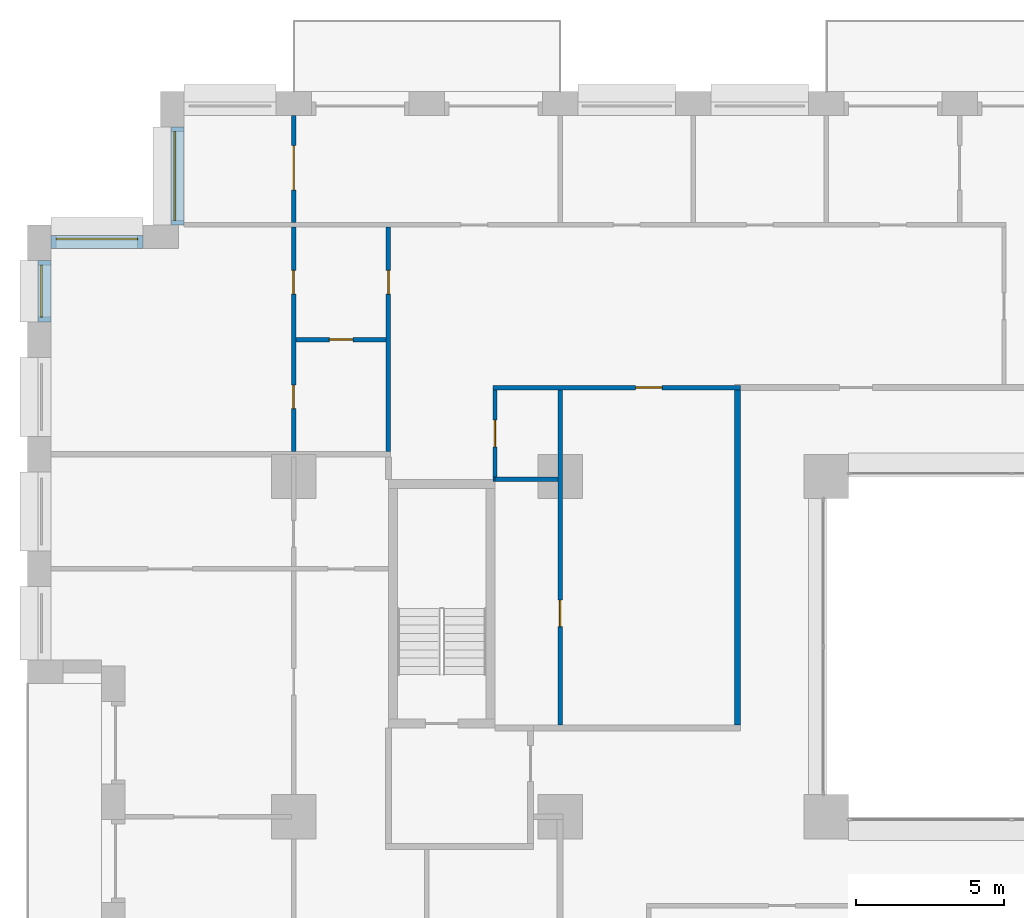
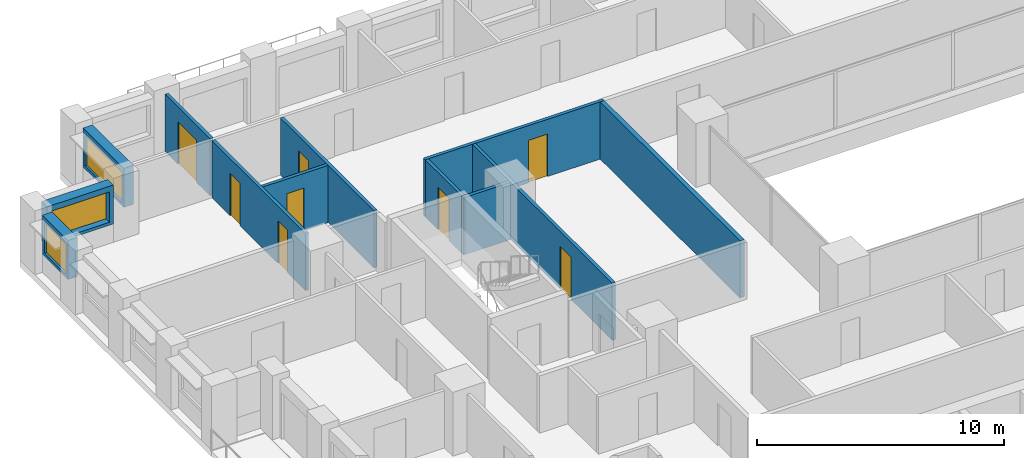
# One storey, part 14 of 21: 13 walls, 8 doors, 3 windows, 11 openings.
"""IFC4 building model written with IfcOpenShell, lengths in metres."""

import ifcopenshell
import ifcopenshell.guid

model = None  # the IFC model being written
_history = None  # IfcOwnerHistory: only IFC2X3 demands one
_inside = {}  # id of a spatial element -> (the spatial element, [elements in it])
_under = {}  # id of a project, library or spatial element -> (it, [spatial elements below it])
_declared = {}  # id of a project -> (the project, [libraries it declares])
_typed = {}  # id of a type object -> (the type object, [elements of that type])
_made_of = {}  # id of a material, layer set ... -> (it, [elements and type objects made of it])


def new_model(schema):
    """Start an empty IFC model of exactly this schema.

    Asked for "IFC4X3", IfcOpenShell would pick the latest addendum, in which some entities
    have other attributes; the version numbers below select the first issue.
    IFC2X3 requires an IfcOwnerHistory on every rooted entity: one is made here for all.
    """
    global model, _history
    if schema == "IFC4X3":
        model = ifcopenshell.file(schema_version=(4, 3, 0, 0))
    else:
        model = ifcopenshell.file(schema=schema)
    _inside.clear()
    _under.clear()
    _declared.clear()
    _typed.clear()
    _made_of.clear()
    _history = None
    if model.schema == "IFC2X3":
        org = make("IfcOrganization", Name="unknown")
        user = make(
            "IfcPersonAndOrganization",
            ThePerson=make("IfcPerson", FamilyName="unknown"),
            TheOrganization=org,
        )
        app = make(
            "IfcApplication",
            ApplicationDeveloper=org,
            Version="unknown",
            ApplicationFullName="unknown",
            ApplicationIdentifier="unknown",
        )
        _history = make(
            "IfcOwnerHistory",
            OwningUser=user,
            OwningApplication=app,
            ChangeAction="ADDED",
            CreationDate=0,
        )
    return model


def make(cls, **values):
    """One entity of the class cls with the attributes given. An attribute that is None is left unset."""
    return model.create_entity(
        cls, **{name: value for name, value in values.items() if value is not None}
    )


def rooted(cls, **values):
    """An entity with a GlobalId (a new one), such as an element, a storey or a relation."""
    return make(cls, GlobalId=ifcopenshell.guid.new(), OwnerHistory=_history, **values)


def si_unit(unit_type, name, prefix=None):
    """IfcSIUnit, for example si_unit("LENGTHUNIT", "METRE", prefix="MILLI")."""
    return make("IfcSIUnit", UnitType=unit_type, Prefix=prefix, Name=name)


def assignment(units):
    """IfcUnitAssignment: the units of a project."""
    return None if units is None else make("IfcUnitAssignment", Units=units)


def point(xyz):
    """IfcCartesianPoint."""
    return None if xyz is None else make("IfcCartesianPoint", Coordinates=xyz)


def direction(xyz):
    """IfcDirection."""
    return None if xyz is None else make("IfcDirection", DirectionRatios=xyz)


def frame(location, z_axis=None, x_axis=None):
    """IfcAxis2Placement3D, a coordinate frame: its origin and axes. An axis left out is left unset."""
    return make(
        "IfcAxis2Placement3D",
        Location=point(location),
        Axis=direction(z_axis),
        RefDirection=direction(x_axis),
    )


def frame_2d(location, x_axis=None):
    """IfcAxis2Placement2D, a coordinate frame in the plane: its origin and x axis."""
    return make(
        "IfcAxis2Placement2D", Location=point(location), RefDirection=direction(x_axis)
    )


def origin():
    """The frame at (0, 0, 0) with its axes left unset."""
    return frame((0.0, 0.0, 0.0))


def place(relative_to, where):
    """IfcLocalPlacement: puts the frame where relative to a parent placement (None: the world)."""
    return make(
        "IfcLocalPlacement", PlacementRelTo=relative_to, RelativePlacement=where
    )


def context(
    kind, dimensions, precision=None, world=None, true_north=None, identifier=None
):
    """IfcGeometricRepresentationContext, for example the 3D "Model" context."""
    return make(
        "IfcGeometricRepresentationContext",
        ContextIdentifier=identifier,
        ContextType=kind,
        CoordinateSpaceDimension=dimensions,
        Precision=precision,
        WorldCoordinateSystem=world,
        TrueNorth=true_north,
    )


def subcontext(parent, identifier, kind, view, scale=None):
    """IfcGeometricRepresentationSubContext, for example "Body" below "Model"."""
    return make(
        "IfcGeometricRepresentationSubContext",
        ContextIdentifier=identifier,
        ContextType=kind,
        ParentContext=parent,
        TargetScale=scale,
        TargetView=view,
    )


def project(units=None, contexts=None):
    """IfcProject with its units and contexts."""
    return rooted(
        "IfcProject",
        Name="project",
        RepresentationContexts=contexts,
        UnitsInContext=assignment(units),
    )


def spatial(cls, under=None, at=None, **own):
    """A site, building, storey or space (cls), placed at a placement, below another one or the project."""
    s = rooted(cls, ObjectPlacement=at, **own)
    if under is not None:
        _under.setdefault(under.id(), (under, []))[1].append(s)
    return s


def profile(cls, at=None, kind="AREA", **sizes):
    """A parametric profile (cls). Its sizes go by their IFC names, for example OverallWidth=200.0."""
    return make(cls, ProfileType=kind, Position=at, **sizes)


def rectangle(**sizes):
    """IfcRectangleProfileDef."""
    return profile("IfcRectangleProfileDef", **sizes)


def extrude(swept, where, along, depth):
    """IfcExtrudedAreaSolid: the profile swept, set in the frame where, extruded along a direction by depth."""
    return make(
        "IfcExtrudedAreaSolid",
        SweptArea=swept,
        Position=where,
        ExtrudedDirection=direction(along),
        Depth=depth,
    )


def shape(context_of_items, identifier, shape_type, items):
    """IfcShapeRepresentation: the items that make up one representation, for example the "Body"."""
    return make(
        "IfcShapeRepresentation",
        ContextOfItems=context_of_items,
        RepresentationIdentifier=identifier,
        RepresentationType=shape_type,
        Items=items,
    )


def material(Name=None, Category=None):
    """IfcMaterial."""
    return make("IfcMaterial", Name=Name, Category=Category)


def layer(
    of_material, thickness, ventilated=None, Name=None, Category=None, Priority=None
):
    """IfcMaterialLayer: one layer of a wall or slab, of a material (None: an air gap)."""
    return make(
        "IfcMaterialLayer",
        Material=of_material,
        LayerThickness=thickness,
        IsVentilated=ventilated,
        Name=Name,
        Category=Category,
        Priority=Priority,
    )


def layer_set(layers, Name=None):
    """IfcMaterialLayerSet."""
    return make("IfcMaterialLayerSet", MaterialLayers=layers, LayerSetName=Name)


def made_of(thing, what):
    """Note that an element or type object is made of a material, layer set ...; save() writes the relation."""
    if what is not None:
        _made_of.setdefault(what.id(), (what, []))[1].append(thing)
    return thing


def type_object(cls, material=None, **own):
    """A type object (cls), such as IfcWallType, which elements share."""
    return made_of(rooted(cls, **own), material)


def element(
    cls,
    number,
    at=None,
    inside=None,
    cuts=None,
    type_object=None,
    material=None,
    context=None,
    identifier="Body",
    shape_type=None,
    held_by="IfcProductDefinitionShape",
    body=None,
    shapes=None,
    **own,
):
    """One element of the class cls, such as IfcWall. Its Tag is "e" and its number.

    at: its placement. inside: the storey or other place that contains it. cuts: it is an
    opening in that element (IfcRelVoidsElement). A single representation is given by context,
    identifier, shape_type and body (its items); several are given by shapes. held_by: the class
    of the entity that holds the representations. save() writes the other relations.
    """
    e = rooted(cls, Tag="e%d" % number, ObjectPlacement=at, **own)
    if body is not None:
        shapes = [shape(context, identifier, shape_type, body)]
    if shapes is not None:
        e.Representation = make(held_by, Representations=shapes)
    if inside is not None:
        _inside.setdefault(inside.id(), (inside, []))[1].append(e)
    if cuts is not None:
        rooted(
            "IfcRelVoidsElement", RelatingBuildingElement=cuts, RelatedOpeningElement=e
        )
    if type_object is not None:
        _typed.setdefault(type_object.id(), (type_object, []))[1].append(e)
    return made_of(e, material)


def fill(opening, filler):
    """IfcRelFillsElement: the door or window that sits in an opening."""
    return rooted(
        "IfcRelFillsElement",
        RelatingOpeningElement=opening,
        RelatedBuildingElement=filler,
    )


def aggregate(whole, parts):
    """IfcRelAggregates: a whole, such as a stair, and the parts it consists of."""
    return rooted("IfcRelAggregates", RelatingObject=whole, RelatedObjects=parts)


def save(model, path):
    """Write the relations noted so far, then the file.

    IfcRelAggregates (storeys below a building ...), IfcRelContainedInSpatialStructure (elements
    in a storey), IfcRelDefinesByType, IfcRelAssociatesMaterial and IfcRelDeclares: one each for
    every whole, place, type object, material and project.
    """
    for whole, parts in _under.values():
        aggregate(whole, parts)
    for where, things in _inside.values():
        rooted(
            "IfcRelContainedInSpatialStructure",
            RelatedElements=things,
            RelatingStructure=where,
        )
    for kind, things in _typed.values():
        rooted("IfcRelDefinesByType", RelatedObjects=things, RelatingType=kind)
    for what, things in _made_of.values():
        rooted("IfcRelAssociatesMaterial", RelatedObjects=things, RelatingMaterial=what)
    for by, libraries in _declared.values():
        rooted("IfcRelDeclares", RelatingContext=by, RelatedDefinitions=libraries)
    model.write(path)


model = new_model("IFC4")

# Units and contexts
model_context = context("Model", 3, precision=1e-05, world=origin(), true_north=direction((0.0, 1.0)))
body_context = subcontext(model_context, "Body", "Model", "MODEL_VIEW")
ifc_project = project(units=[si_unit("LENGTHUNIT", "METRE"), si_unit("AREAUNIT", "SQUARE_METRE"), si_unit("VOLUMEUNIT", "CUBIC_METRE"), si_unit("PLANEANGLEUNIT", "RADIAN"), si_unit("MASSUNIT", "GRAM", prefix="KILO")], contexts=[model_context])

# Site, building, storey
site_placement = place(None, origin())
site = spatial("IfcSite", under=ifc_project, at=site_placement, CompositionType="ELEMENT")
building_placement = place(site_placement, origin())
building = spatial("IfcBuilding", under=site, at=building_placement, Name="Brigalow Station Residences", CompositionType="ELEMENT")
storey_placement = place(building_placement, frame((0.0, 0.0, 47.85009765625)))
storey = spatial("IfcBuildingStorey", under=building, at=storey_placement, Name="L13", CompositionType="ELEMENT", Elevation=47.85009765625)

# Wall, opening, window
ifc_material_1 = material(Name="Clay brick masonry", Category="masonry")
ifc_layer_1 = layer(ifc_material_1, 0.449951171875)
ifc_layer_set_1 = layer_set([ifc_layer_1], Name="BRICK INFILL WALL 450")
wall_type_1 = type_object("IfcWallType", Name="BRICK INFILL WALL 450", PredefinedType="SOLIDWALL", material=ifc_layer_set_1)
wall_1_placement = place(storey_placement, frame((5.074951171875, 47.300048828125, 0.89990234375), z_axis=(0.0, 0.0, 1.0), x_axis=(0.0, -1.0, 0.0)))
wall_1 = element("IfcWall", 1, at=wall_1_placement, inside=storey, type_object=wall_type_1, Name="L13/ewall/W-L13-40", PredefinedType="SOLIDWALL", context=body_context, shape_type="SweptSolid", body=[
    extrude(rectangle(XDim=3.300048828125, YDim=0.449951171875, at=frame_2d((1.64990234375, 0.0))), origin(), (0.0, 0.0, 1.0), 1.929931640625),
])
opening_1_placement = place(wall_1_placement, frame((0.14990234375, 0.0, 0.14990234375)))
opening_1 = element("IfcOpeningElement", 2, at=opening_1_placement, cuts=wall_1, Name="Opening WT-2", PredefinedType="OPENING", context=body_context, shape_type="SweptSolid", body=[
    extrude(rectangle(XDim=3.0, YDim=1.5, at=frame_2d((1.5, 0.75))), frame((0.0, 0.23486328125, 0.0), z_axis=(0.0, -1.0, 0.0), x_axis=(1.0, 0.0, 0.0)), (0.0, 0.0, 1.0), 0.469970703125),
])
ifc_material_2 = material(Name="Anodised aluminium frame with double glazing", Category="aluminium")
window_type_1 = type_object("IfcWindowType", Name="WINDOW 3000x1500", PartitioningType="SINGLE_PANEL", PredefinedType="WINDOW", material=ifc_material_2)
window_1_placement = place(opening_1_placement, origin())
window_1 = element("IfcWindow", 3, at=window_1_placement, inside=storey, type_object=window_type_1, Name="L13/window/W-L13-40", OverallHeight=1.5, OverallWidth=3.0, PartitioningType="SINGLE_PANEL", PredefinedType="WINDOW", context=body_context, shape_type="SweptSolid", body=[
    extrude(rectangle(XDim=3.0, YDim=1.5, at=frame_2d((1.5, 0.75))), frame((0.0, -0.06494140625, 0.0), z_axis=(0.0, -1.0, 0.0), x_axis=(1.0, 0.0, 0.0)), (0.0, 0.0, 1.0), 0.06005859375),
])
fill(opening_1, window_1)

wall_2_placement = place(storey_placement, frame((3.89990234375, 43.425048828125, 0.89990234375), z_axis=(0.0, 0.0, 1.0), x_axis=(-1.0, 0.0, 0.0)))
wall_2 = element("IfcWall", 4, at=wall_2_placement, inside=storey, type_object=wall_type_1, Name="L13/ewall/W-L13-41", PredefinedType="SOLIDWALL", context=body_context, shape_type="SweptSolid", body=[
    extrude(rectangle(XDim=3.099853515625, YDim=0.449951171875, at=frame_2d((1.5498046875, 0.0))), origin(), (0.0, 0.0, 1.0), 1.929931640625),
])
opening_2_placement = place(wall_2_placement, frame((0.175048828125, 0.0, 0.14990234375)))
opening_2 = element("IfcOpeningElement", 5, at=opening_2_placement, cuts=wall_2, Name="Opening WT-3", PredefinedType="OPENING", context=body_context, shape_type="SweptSolid", body=[
    extrude(rectangle(XDim=2.75, YDim=1.5, at=frame_2d((1.375, 0.75))), frame((0.0, 0.23486328125, 0.0), z_axis=(0.0, -1.0, 0.0), x_axis=(1.0, 0.0, 0.0)), (0.0, 0.0, 1.0), 0.469970703125),
])
ifc_material_3 = material(Name="Anodised aluminium frame with double glazing", Category="aluminium")
window_type_2 = type_object("IfcWindowType", Name="WINDOW 2750x1500", PartitioningType="SINGLE_PANEL", PredefinedType="WINDOW", material=ifc_material_3)
window_2_placement = place(opening_2_placement, origin())
window_2 = element("IfcWindow", 6, at=window_2_placement, inside=storey, type_object=window_type_2, Name="L13/window/W-L13-41", OverallHeight=1.5, OverallWidth=2.75, PartitioningType="SINGLE_PANEL", PredefinedType="WINDOW", context=body_context, shape_type="SweptSolid", body=[
    extrude(rectangle(XDim=2.75, YDim=1.5, at=frame_2d((1.375, 0.75))), frame((0.0, -0.06494140625, 0.0), z_axis=(0.0, -1.0, 0.0), x_axis=(1.0, 0.0, 0.0)), (0.0, 0.0, 1.0), 0.06005859375),
])
fill(opening_2, window_2)

wall_3_placement = place(storey_placement, frame((0.574951171875, 42.800048828125, 0.89990234375), z_axis=(0.0, 0.0, 1.0), x_axis=(0.0, -1.0, 0.0)))
wall_3 = element("IfcWall", 7, at=wall_3_placement, inside=storey, type_object=wall_type_1, Name="L13/ewall/W-L13-42", PredefinedType="SOLIDWALL", context=body_context, shape_type="SweptSolid", body=[
    extrude(rectangle(XDim=2.074951171875, YDim=0.449951171875, at=frame_2d((1.03759765625, 0.0))), origin(), (0.0, 0.0, 1.0), 1.929931640625),
])
opening_3_placement = place(wall_3_placement, frame((0.16259765625, 0.0, 0.14990234375)))
opening_3 = element("IfcOpeningElement", 8, at=opening_3_placement, cuts=wall_3, Name="Opening WT-4", PredefinedType="OPENING", context=body_context, shape_type="SweptSolid", body=[
    extrude(rectangle(XDim=1.75, YDim=1.5, at=frame_2d((0.875, 0.75))), frame((0.0, 0.23486328125, 0.0), z_axis=(0.0, -1.0, 0.0), x_axis=(1.0, 0.0, 0.0)), (0.0, 0.0, 1.0), 0.469970703125),
])
ifc_material_4 = material(Name="Anodised aluminium frame with double glazing", Category="aluminium")
window_type_3 = type_object("IfcWindowType", Name="WINDOW 1750x1500", PartitioningType="SINGLE_PANEL", PredefinedType="WINDOW", material=ifc_material_4)
window_3_placement = place(opening_3_placement, origin())
window_3 = element("IfcWindow", 9, at=window_3_placement, inside=storey, type_object=window_type_3, Name="L13/window/W-L13-42", OverallHeight=1.5, OverallWidth=1.75, PartitioningType="SINGLE_PANEL", PredefinedType="WINDOW", context=body_context, shape_type="SweptSolid", body=[
    extrude(rectangle(XDim=1.75, YDim=1.5, at=frame_2d((0.875, 0.75))), frame((0.0, -0.06494140625, 0.0), z_axis=(0.0, -1.0, 0.0), x_axis=(1.0, 0.0, 0.0)), (0.0, 0.0, 1.0), 0.06005859375),
])
fill(opening_3, window_3)

# Wall, opening, door
ifc_material_5 = material(Name="Plasterboard on steel stud partition", Category="steel")
ifc_layer_2 = layer(ifc_material_5, 0.14990234375)
ifc_layer_set_2 = layer_set([ifc_layer_2], Name="FLAT PARTITION 150")
wall_type_2 = type_object("IfcWallType", Name="FLAT PARTITION 150", PredefinedType="PARTITIONING", material=ifc_layer_set_2)
wall_4_placement = place(storey_placement, frame((15.72509765625, 38.5, 0.0), z_axis=(0.0, 0.0, 1.0), x_axis=(1.0, 0.0, 0.0)))
wall_4 = element("IfcWall", 10, at=wall_4_placement, inside=storey, type_object=wall_type_2, Name="PW-1D08", PredefinedType="PARTITIONING", context=body_context, shape_type="SweptSolid", body=[
    extrude(rectangle(XDim=8.375, YDim=0.14990234375, at=frame_2d((4.1875, 0.0))), origin(), (0.0, 0.0, 1.0), 2.829833984375),
])
opening_4_placement = place(wall_4_placement, frame((4.824951171875, 0.0, 0.0)))
opening_4 = element("IfcOpeningElement", 11, at=opening_4_placement, cuts=wall_4, Name="Opening D-1D29", PredefinedType="OPENING", context=body_context, shape_type="SweptSolid", body=[
    extrude(rectangle(XDim=0.89990234375, YDim=2.10009765625, at=frame_2d((0.449951171875, 1.050048828125))), frame((0.0, 0.0849609375, 0.0), z_axis=(0.0, -1.0, 0.0), x_axis=(1.0, 0.0, 0.0)), (0.0, 0.0, 1.0), 0.169921875),
])
ifc_material_6 = material(Name="Solid-core timber door leaf", Category="wood")
door_type_1 = type_object("IfcDoorType", Name="INTERNAL DOOR 900 x 2100", OperationType="SINGLE_SWING_LEFT", PredefinedType="DOOR", material=ifc_material_6)
door_1_placement = place(opening_4_placement, frame((0.89990234375, 0.0, 0.0), z_axis=(0.0, 0.0, 1.0), x_axis=(-1.0, 0.0, 0.0)))
door_1 = element("IfcDoor", 12, at=door_1_placement, inside=storey, type_object=door_type_1, Name="D-1D29", OperationType="SINGLE_SWING_LEFT", OverallHeight=2.10009765625, OverallWidth=0.89990234375, PredefinedType="DOOR", context=body_context, shape_type="SweptSolid", body=[
    extrude(rectangle(XDim=0.89990234375, YDim=2.10009765625, at=frame_2d((0.449951171875, 1.050048828125))), frame((0.0, 0.02490234375, 0.0), z_axis=(0.0, -1.0, 0.0), x_axis=(1.0, 0.0, 0.0)), (0.0, 0.0, 1.0), 0.050048828125),
])
fill(opening_4, door_1)

# Walls
wall_5_placement = place(storey_placement, frame((15.72509765625, 35.39990234375, 0.0), z_axis=(0.0, 0.0, 1.0), x_axis=(1.0, 0.0, 0.0)))
element("IfcWall", 13, at=wall_5_placement, inside=storey, type_object=wall_type_2, Name="PW-1D23", PredefinedType="PARTITIONING", context=body_context, shape_type="SweptSolid", body=[
    extrude(rectangle(XDim=0.074951171875, YDim=0.14990234375, at=frame_2d((0.03759765625, 0.0))), origin(), (0.0, 0.0, 1.0), 2.829833984375),
])
wall_6_placement = place(storey_placement, frame((15.800048828125, 35.39990234375, 0.0), z_axis=(0.0, 0.0, 1.0), x_axis=(1.0, 0.0, 0.0)))
element("IfcWall", 14, at=wall_6_placement, inside=storey, type_object=wall_type_2, Name="PW-1D24", PredefinedType="PARTITIONING", context=body_context, shape_type="SweptSolid", body=[
    extrude(rectangle(XDim=2.125, YDim=0.14990234375, at=frame_2d((1.0625, 0.0))), origin(), (0.0, 0.0, 1.0), 2.829833984375),
])

# Wall, opening, door
wall_7_placement = place(storey_placement, frame((9.074951171875, 40.125, 0.0), z_axis=(0.0, 0.0, 1.0), x_axis=(1.0, 0.0, 0.0)))
wall_7 = element("IfcWall", 15, at=wall_7_placement, inside=storey, type_object=wall_type_2, Name="PW-1D28", PredefinedType="PARTITIONING", context=body_context, shape_type="SweptSolid", body=[
    extrude(rectangle(XDim=3.050048828125, YDim=0.14990234375, at=frame_2d((1.52490234375, 0.0))), origin(), (0.0, 0.0, 1.0), 2.829833984375),
])
opening_5_placement = place(wall_7_placement, frame((1.125, 0.0, 0.0)))
opening_5 = element("IfcOpeningElement", 16, at=opening_5_placement, cuts=wall_7, Name="Opening D-1D22", PredefinedType="OPENING", context=body_context, shape_type="SweptSolid", body=[
    extrude(rectangle(XDim=0.800048828125, YDim=2.10009765625, at=frame_2d((0.39990234375, 1.050048828125))), frame((0.0, 0.0849609375, 0.0), z_axis=(0.0, -1.0, 0.0), x_axis=(1.0, 0.0, 0.0)), (0.0, 0.0, 1.0), 0.169921875),
])
ifc_material_7 = material(Name="Solid-core timber door leaf", Category="wood")
door_type_2 = type_object("IfcDoorType", Name="INTERNAL DOOR 800 x 2100", OperationType="SINGLE_SWING_LEFT", PredefinedType="DOOR", material=ifc_material_7)
door_2_placement = place(opening_5_placement, frame((0.800048828125, 0.0, 0.0), z_axis=(0.0, 0.0, 1.0), x_axis=(-1.0, 0.0, 0.0)))
door_2 = element("IfcDoor", 17, at=door_2_placement, inside=storey, type_object=door_type_2, Name="D-1D22", OperationType="SINGLE_SWING_LEFT", OverallHeight=2.10009765625, OverallWidth=0.800048828125, PredefinedType="DOOR", context=body_context, shape_type="SweptSolid", body=[
    extrude(rectangle(XDim=0.800048828125, YDim=2.10009765625, at=frame_2d((0.39990234375, 1.050048828125))), frame((0.0, 0.02490234375, 0.0), z_axis=(0.0, -1.0, 0.0), x_axis=(1.0, 0.0, 0.0)), (0.0, 0.0, 1.0), 0.050048828125),
])
fill(opening_5, door_2)

wall_8_placement = place(storey_placement, frame((18.0, 27.10009765625, 0.0), z_axis=(0.0, 0.0, 1.0), x_axis=(0.0, 1.0, 0.0)))
wall_8 = element("IfcWall", 18, at=wall_8_placement, inside=storey, type_object=wall_type_2, Name="PW-1D36", PredefinedType="PARTITIONING", context=body_context, shape_type="SweptSolid", body=[
    extrude(rectangle(XDim=11.324951171875, YDim=0.14990234375, at=frame_2d((5.66259765625, 0.0))), origin(), (0.0, 0.0, 1.0), 2.829833984375),
])
opening_6_placement = place(wall_8_placement, frame((3.324951171875, 0.0, 0.0)))
opening_6 = element("IfcOpeningElement", 19, at=opening_6_placement, cuts=wall_8, Name="Opening D-1D32", PredefinedType="OPENING", context=body_context, shape_type="SweptSolid", body=[
    extrude(rectangle(XDim=0.89990234375, YDim=2.10009765625, at=frame_2d((0.449951171875, 1.050048828125))), frame((0.0, 0.0849609375, 0.0), z_axis=(0.0, -1.0, 0.0), x_axis=(1.0, 0.0, 0.0)), (0.0, 0.0, 1.0), 0.169921875),
])
door_3_placement = place(opening_6_placement, origin())
door_3 = element("IfcDoor", 20, at=door_3_placement, inside=storey, type_object=door_type_1, Name="D-1D32", OperationType="SINGLE_SWING_LEFT", OverallHeight=2.10009765625, OverallWidth=0.89990234375, PredefinedType="DOOR", context=body_context, shape_type="SweptSolid", body=[
    extrude(rectangle(XDim=0.89990234375, YDim=2.10009765625, at=frame_2d((0.449951171875, 1.050048828125))), frame((0.0, 0.02490234375, 0.0), z_axis=(0.0, -1.0, 0.0), x_axis=(1.0, 0.0, 0.0)), (0.0, 0.0, 1.0), 0.050048828125),
])
fill(opening_6, door_3)

# Wall, openings, doors
wall_9_placement = place(storey_placement, frame((9.0, 36.35009765625, 0.0), z_axis=(0.0, 0.0, 1.0), x_axis=(0.0, 1.0, 0.0)))
wall_9 = element("IfcWall", 21, at=wall_9_placement, inside=storey, type_object=wall_type_2, Name="PW-1D50", PredefinedType="PARTITIONING", context=body_context, shape_type="SweptSolid", body=[
    extrude(rectangle(XDim=7.574951171875, YDim=0.14990234375, at=frame_2d((3.78759765625, 0.0))), origin(), (0.0, 0.0, 1.0), 2.829833984375),
])
opening_7_placement = place(wall_9_placement, frame((5.31201171875, 0.0, 0.0)))
opening_7 = element("IfcOpeningElement", 22, at=opening_7_placement, cuts=wall_9, Name="Opening D-1D24", PredefinedType="OPENING", context=body_context, shape_type="SweptSolid", body=[
    extrude(rectangle(XDim=0.800048828125, YDim=2.10009765625, at=frame_2d((0.39990234375, 1.050048828125))), frame((0.0, 0.0849609375, 0.0), z_axis=(0.0, -1.0, 0.0), x_axis=(1.0, 0.0, 0.0)), (0.0, 0.0, 1.0), 0.169921875),
])
opening_8_placement = place(wall_9_placement, frame((1.43798828125, 0.0, 0.0)))
opening_8 = element("IfcOpeningElement", 23, at=opening_8_placement, cuts=wall_9, Name="Opening D-1D25", PredefinedType="OPENING", context=body_context, shape_type="SweptSolid", body=[
    extrude(rectangle(XDim=0.800048828125, YDim=2.10009765625, at=frame_2d((0.39990234375, 1.050048828125))), frame((0.0, 0.0849609375, 0.0), z_axis=(0.0, -1.0, 0.0), x_axis=(1.0, 0.0, 0.0)), (0.0, 0.0, 1.0), 0.169921875),
])
door_4_placement = place(opening_7_placement, frame((0.800048828125, 0.0, 0.0), z_axis=(0.0, 0.0, 1.0), x_axis=(-1.0, 0.0, 0.0)))
door_4 = element("IfcDoor", 24, at=door_4_placement, inside=storey, type_object=door_type_2, Name="D-1D24", OperationType="SINGLE_SWING_RIGHT", OverallHeight=2.10009765625, OverallWidth=0.800048828125, PredefinedType="DOOR", context=body_context, shape_type="SweptSolid", body=[
    extrude(rectangle(XDim=0.800048828125, YDim=2.10009765625, at=frame_2d((0.39990234375, 1.050048828125))), frame((0.0, 0.02490234375, 0.0), z_axis=(0.0, -1.0, 0.0), x_axis=(1.0, 0.0, 0.0)), (0.0, 0.0, 1.0), 0.050048828125),
])
fill(opening_7, door_4)
door_5_placement = place(opening_8_placement, frame((0.800048828125, 0.0, 0.0), z_axis=(0.0, 0.0, 1.0), x_axis=(-1.0, 0.0, 0.0)))
door_5 = element("IfcDoor", 25, at=door_5_placement, inside=storey, type_object=door_type_2, Name="D-1D25", OperationType="SINGLE_SWING_RIGHT", OverallHeight=2.10009765625, OverallWidth=0.800048828125, PredefinedType="DOOR", context=body_context, shape_type="SweptSolid", body=[
    extrude(rectangle(XDim=0.800048828125, YDim=2.10009765625, at=frame_2d((0.39990234375, 1.050048828125))), frame((0.0, 0.02490234375, 0.0), z_axis=(0.0, -1.0, 0.0), x_axis=(1.0, 0.0, 0.0)), (0.0, 0.0, 1.0), 0.050048828125),
])
fill(opening_8, door_5)

# Wall, opening, door
wall_10_placement = place(storey_placement, frame((9.0, 44.074951171875, 0.0), z_axis=(0.0, 0.0, 1.0), x_axis=(0.0, 1.0, 0.0)))
wall_10 = element("IfcWall", 26, at=wall_10_placement, inside=storey, type_object=wall_type_2, Name="PW-1D51", PredefinedType="PARTITIONING", context=body_context, shape_type="SweptSolid", body=[
    extrude(rectangle(XDim=3.625, YDim=0.14990234375, at=frame_2d((1.8125, 0.0))), origin(), (0.0, 0.0, 1.0), 2.829833984375),
])
opening_9_placement = place(wall_10_placement, frame((1.10009765625, 0.0, 0.0)))
opening_9 = element("IfcOpeningElement", 27, at=opening_9_placement, cuts=wall_10, Name="Opening D-1D21", PredefinedType="OPENING", context=body_context, shape_type="SweptSolid", body=[
    extrude(rectangle(XDim=1.5, YDim=2.10009765625, at=frame_2d((0.75, 1.050048828125))), frame((0.0, 0.0849609375, 0.0), z_axis=(0.0, -1.0, 0.0), x_axis=(1.0, 0.0, 0.0)), (0.0, 0.0, 1.0), 0.169921875),
])
ifc_material_8 = material(Name="Solid-core timber door leaf", Category="wood")
door_type_3 = type_object("IfcDoorType", Name="INTERNAL DOUBLE DOOR 1500 x 2100", OperationType="DOUBLE_DOOR_SINGLE_SWING", PredefinedType="DOOR", material=ifc_material_8)
door_6_placement = place(opening_9_placement, origin())
door_6 = element("IfcDoor", 28, at=door_6_placement, inside=storey, type_object=door_type_3, Name="D-1D21", OperationType="DOUBLE_DOOR_SINGLE_SWING", OverallHeight=2.10009765625, OverallWidth=1.5, PredefinedType="DOOR", context=body_context, shape_type="SweptSolid", body=[
    extrude(rectangle(XDim=1.5, YDim=2.10009765625, at=frame_2d((0.75, 1.050048828125))), frame((0.0, 0.02490234375, 0.0), z_axis=(0.0, -1.0, 0.0), x_axis=(1.0, 0.0, 0.0)), (0.0, 0.0, 1.0), 0.050048828125),
])
fill(opening_9, door_6)

wall_11_placement = place(storey_placement, frame((12.199951171875, 36.35009765625, 0.0), z_axis=(0.0, 0.0, 1.0), x_axis=(0.0, 1.0, 0.0)))
wall_11 = element("IfcWall", 29, at=wall_11_placement, inside=storey, type_object=wall_type_2, Name="PW-1D56", PredefinedType="PARTITIONING", context=body_context, shape_type="SweptSolid", body=[
    extrude(rectangle(XDim=7.574951171875, YDim=0.14990234375, at=frame_2d((3.78759765625, 0.0))), origin(), (0.0, 0.0, 1.0), 2.829833984375),
])
opening_10_placement = place(wall_11_placement, frame((5.31201171875, 0.0, 0.0)))
opening_10 = element("IfcOpeningElement", 30, at=opening_10_placement, cuts=wall_11, Name="Opening D-1D23", PredefinedType="OPENING", context=body_context, shape_type="SweptSolid", body=[
    extrude(rectangle(XDim=0.800048828125, YDim=2.10009765625, at=frame_2d((0.39990234375, 1.050048828125))), frame((0.0, 0.0849609375, 0.0), z_axis=(0.0, -1.0, 0.0), x_axis=(1.0, 0.0, 0.0)), (0.0, 0.0, 1.0), 0.169921875),
])
door_7_placement = place(opening_10_placement, origin())
door_7 = element("IfcDoor", 31, at=door_7_placement, inside=storey, type_object=door_type_2, Name="D-1D23", OperationType="SINGLE_SWING_LEFT", OverallHeight=2.10009765625, OverallWidth=0.800048828125, PredefinedType="DOOR", context=body_context, shape_type="SweptSolid", body=[
    extrude(rectangle(XDim=0.800048828125, YDim=2.10009765625, at=frame_2d((0.39990234375, 1.050048828125))), frame((0.0, 0.02490234375, 0.0), z_axis=(0.0, -1.0, 0.0), x_axis=(1.0, 0.0, 0.0)), (0.0, 0.0, 1.0), 0.050048828125),
])
fill(opening_10, door_7)

wall_12_placement = place(storey_placement, frame((15.800048828125, 35.47509765625, 0.0), z_axis=(0.0, 0.0, 1.0), x_axis=(0.0, 1.0, 0.0)))
wall_12 = element("IfcWall", 32, at=wall_12_placement, inside=storey, type_object=wall_type_2, Name="PW-1D59", PredefinedType="PARTITIONING", context=body_context, shape_type="SweptSolid", body=[
    extrude(rectangle(XDim=2.949951171875, YDim=0.14990234375, at=frame_2d((1.47509765625, 0.0))), origin(), (0.0, 0.0, 1.0), 2.829833984375),
])
opening_11_placement = place(wall_12_placement, frame((1.02490234375, 0.0, 0.0)))
opening_11 = element("IfcOpeningElement", 33, at=opening_11_placement, cuts=wall_12, Name="Opening D-1D31", PredefinedType="OPENING", context=body_context, shape_type="SweptSolid", body=[
    extrude(rectangle(XDim=0.89990234375, YDim=2.10009765625, at=frame_2d((0.449951171875, 1.050048828125))), frame((0.0, 0.0849609375, 0.0), z_axis=(0.0, -1.0, 0.0), x_axis=(1.0, 0.0, 0.0)), (0.0, 0.0, 1.0), 0.169921875),
])
door_8_placement = place(opening_11_placement, frame((0.89990234375, 0.0, 0.0), z_axis=(0.0, 0.0, 1.0), x_axis=(-1.0, 0.0, 0.0)))
door_8 = element("IfcDoor", 34, at=door_8_placement, inside=storey, type_object=door_type_1, Name="D-1D31", OperationType="SINGLE_SWING_RIGHT", OverallHeight=2.10009765625, OverallWidth=0.89990234375, PredefinedType="DOOR", context=body_context, shape_type="SweptSolid", body=[
    extrude(rectangle(XDim=0.89990234375, YDim=2.10009765625, at=frame_2d((0.449951171875, 1.050048828125))), frame((0.0, 0.02490234375, 0.0), z_axis=(0.0, -1.0, 0.0), x_axis=(1.0, 0.0, 0.0)), (0.0, 0.0, 1.0), 0.050048828125),
])
fill(opening_11, door_8)

# Wall
ifc_material_9 = material(Name="Plasterboard on steel stud partition", Category="steel")
ifc_layer_3 = layer(ifc_material_9, 0.199951171875)
ifc_layer_set_3 = layer_set([ifc_layer_3], Name="PARTY AND CORRIDOR WALL 200")
wall_type_3 = type_object("IfcWallType", Name="PARTY AND CORRIDOR WALL 200", PredefinedType="PARTITIONING", material=ifc_layer_set_3)
wall_13_placement = place(storey_placement, frame((24.0, 27.10009765625, 0.0), z_axis=(0.0, 0.0, 1.0), x_axis=(0.0, 1.0, 0.0)))
element("IfcWall", 35, at=wall_13_placement, inside=storey, type_object=wall_type_3, Name="PW-1D44", PredefinedType="PARTITIONING", context=body_context, shape_type="SweptSolid", body=[
    extrude(rectangle(XDim=11.324951171875, YDim=0.199951171875, at=frame_2d((5.66259765625, 0.0))), origin(), (0.0, 0.0, 1.0), 2.829833984375),
])

save(model, "model.ifc")
